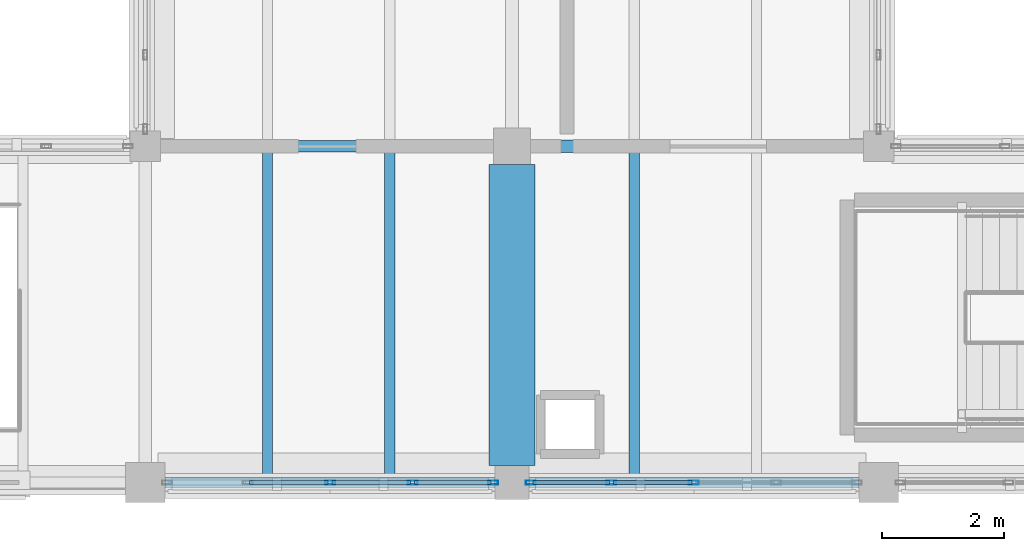
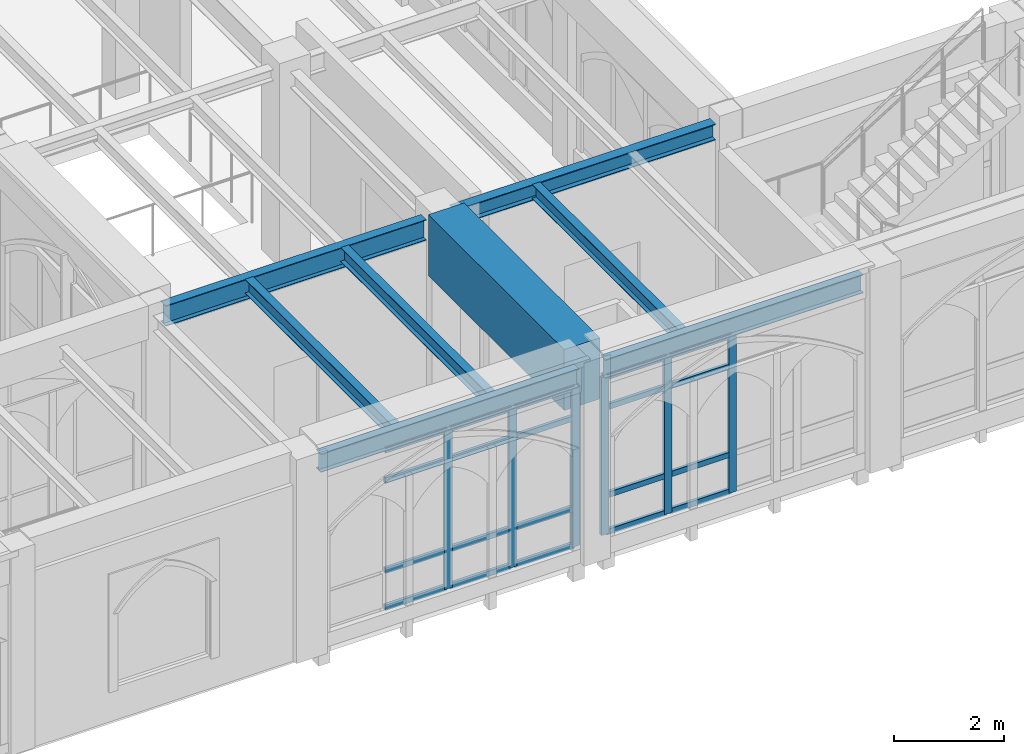
# One storey, part 18 of 127: 26 members, 8 beams, 2 elements without a shape of their own.
"""IFC4 building model written with IfcOpenShell, lengths in metres."""

from ifc_helpers import new_model, si_unit, direction, frame, origin, origin_2d, place, context, subcontext, project, spatial, rectangle, hollow_rectangle, i_section, extrude, material, layer, layer_set, material_profile, profile_set, type_object, element, aggregate, save


model = new_model("IFC4")

# Units and contexts
model_context = context("Model", 3, precision=1e-05, world=origin(), true_north=direction((0.0, 1.0)))
body_context = subcontext(model_context, "Body", "Model", "MODEL_VIEW")
ifc_project = project(units=[si_unit("LENGTHUNIT", "METRE"), si_unit("AREAUNIT", "SQUARE_METRE"), si_unit("VOLUMEUNIT", "CUBIC_METRE"), si_unit("PLANEANGLEUNIT", "RADIAN"), si_unit("MASSUNIT", "GRAM", prefix="KILO")], contexts=[model_context])

# Site, building, storey
site_placement = place(None, origin())
site = spatial("IfcSite", under=ifc_project, at=site_placement, CompositionType="ELEMENT")
building_placement = place(site_placement, origin())
building = spatial("IfcBuilding", under=site, at=building_placement, Name="Cumevento Cable Car Station", CompositionType="ELEMENT")
storey_placement = place(building_placement, frame((0.0, 0.0, 4.5)))
storey = spatial("IfcBuildingStorey", under=building, at=storey_placement, Name="L02", CompositionType="ELEMENT", Elevation=4.5)

# Curtain wall, members
ifc_material_1 = material(Name="Anodised Bronze Aluminium AW-6063-T6", Category="aluminium")
ifc_layer_1 = layer(ifc_material_1, 0.22607421875)
ifc_layer_set_1 = layer_set([ifc_layer_1], Name="Anodised Bronze Aluminium AW-6063-T6")
curtain_wall_type_1 = type_object("IfcCurtainWallType", Name="Lancet Curtain Wall CW-12 1490", PredefinedType="NOTDEFINED", material=ifc_layer_set_1)
curtain_wall_1_placement = place(storey_placement, origin())
curtain_wall_1 = element("IfcCurtainWall", 1, at=curtain_wall_1_placement, inside=storey, type_object=curtain_wall_type_1, Name="Lancet Curtain Wall CW-12 L02 #27", PredefinedType="NOTDEFINED")
ifc_material_2 = material(Name="Anodised Bronze Aluminium AW-6063-T6", Category="aluminium")
ifc_material_profile_1 = material_profile(ifc_material_2, hollow_rectangle(XDim=0.06494140625, YDim=0.159912109375, WallThickness=0.00390625, at=origin_2d()), Name="ALUM65x160x4")
ifc_profile_set_1 = profile_set([ifc_material_profile_1], Name="Anodised Bronze Aluminium AW-6063-T6")
member_type_1 = type_object("IfcMemberType", Name="Curtain Mullion CWM-01 ALUM65x160x4", PredefinedType="MULLION", material=ifc_profile_set_1)
member_1_placement = place(storey_placement, frame((63.6923828125, 4.0, 0.31005859375), z_axis=(0.0, 0.0, 1.0), x_axis=(0.0, -1.0, 0.0)))
member_1 = element("IfcMember", 2, at=member_1_placement, type_object=member_type_1, Name="CW-12 mullion 1", PredefinedType="MULLION", context=body_context, shape_type="SweptSolid", body=[
    extrude(hollow_rectangle(XDim=0.06494140625, YDim=0.159912109375, WallThickness=0.00390625, at=origin_2d()), origin(), (0.0, 0.0, 1.0), 3.546875),
])
member_2_placement = place(storey_placement, frame((62.375, 4.0, 0.31005859375), z_axis=(0.0, 0.0, 1.0), x_axis=(0.0, -1.0, 0.0)))
member_2 = element("IfcMember", 3, at=member_2_placement, type_object=member_type_1, Name="CW-12 mullion 2", PredefinedType="MULLION", context=body_context, shape_type="SweptSolid", body=[
    extrude(hollow_rectangle(XDim=0.06494140625, YDim=0.159912109375, WallThickness=0.00390625, at=origin_2d()), origin(), (0.0, 0.0, 1.0), 3.546875),
])
member_3_placement = place(storey_placement, frame((61.02490234375, 4.0, 0.31005859375), z_axis=(0.0, 0.0, 1.0), x_axis=(0.0, -1.0, 0.0)))
member_3 = element("IfcMember", 4, at=member_3_placement, type_object=member_type_1, Name="CW-12 mullion 3", PredefinedType="MULLION", context=body_context, shape_type="SweptSolid", body=[
    extrude(hollow_rectangle(XDim=0.06494140625, YDim=0.159912109375, WallThickness=0.00390625, at=origin_2d()), origin(), (0.0, 0.0, 1.0), 3.546875),
])

ifc_material_3 = material(Name="Anodised Bronze Aluminium AW-6063-T6", Category="aluminium")
ifc_layer_2 = layer(ifc_material_3, 0.23193359375)
ifc_layer_set_2 = layer_set([ifc_layer_2], Name="Anodised Bronze Aluminium AW-6063-T6")
curtain_wall_type_2 = type_object("IfcCurtainWallType", Name="Lancet Curtain Wall CW-13 1530", PredefinedType="NOTDEFINED", material=ifc_layer_set_2)
curtain_wall_2_placement = place(storey_placement, origin())
curtain_wall_2 = element("IfcCurtainWall", 5, at=curtain_wall_2_placement, inside=storey, type_object=curtain_wall_type_2, Name="Lancet Curtain Wall CW-13 L02 #28", PredefinedType="NOTDEFINED")
member_4_placement = place(storey_placement, frame((66.97509765625, 4.0, 0.360107421875), z_axis=(0.0, 0.0, 1.0), x_axis=(0.0, -1.0, 0.0)))
member_4 = element("IfcMember", 6, at=member_4_placement, type_object=member_type_1, Name="CW-13 mullion 3", PredefinedType="MULLION", context=body_context, shape_type="SweptSolid", body=[
    extrude(hollow_rectangle(XDim=0.06494140625, YDim=0.159912109375, WallThickness=0.00390625, at=origin_2d()), origin(), (0.0, 0.0, 1.0), 3.496826171875),
])
member_5_placement = place(storey_placement, frame((65.625, 4.0, 0.360107421875), z_axis=(0.0, 0.0, 1.0), x_axis=(0.0, -1.0, 0.0)))
member_5 = element("IfcMember", 7, at=member_5_placement, type_object=member_type_1, Name="CW-13 mullion 4", PredefinedType="MULLION", context=body_context, shape_type="SweptSolid", body=[
    extrude(hollow_rectangle(XDim=0.06494140625, YDim=0.159912109375, WallThickness=0.00390625, at=origin_2d()), origin(), (0.0, 0.0, 1.0), 3.496826171875),
])
member_6_placement = place(storey_placement, frame((64.3076171875, 4.0, 0.360107421875), z_axis=(0.0, 0.0, 1.0), x_axis=(0.0, -1.0, 0.0)))
member_6 = element("IfcMember", 8, at=member_6_placement, type_object=member_type_1, Name="CW-13 mullion 5", PredefinedType="MULLION", context=body_context, shape_type="SweptSolid", body=[
    extrude(hollow_rectangle(XDim=0.06494140625, YDim=0.159912109375, WallThickness=0.00390625, at=origin_2d()), origin(), (0.0, 0.0, 1.0), 3.496826171875),
])

# Member
ifc_material_4 = material(Name="Anodised Bronze Aluminium AW-6063-T6", Category="aluminium")
ifc_material_profile_2 = material_profile(ifc_material_4, hollow_rectangle(XDim=0.06494140625, YDim=0.1201171875, WallThickness=0.00390625, at=origin_2d()), Name="ALUT65x120x4")
ifc_profile_set_2 = profile_set([ifc_material_profile_2], Name="Anodised Bronze Aluminium AW-6063-T6")
member_type_2 = type_object("IfcMemberType", Name="Curtain Transom CWT-01 ALUT65x120x4", PredefinedType="USERDEFINED", material=ifc_profile_set_2)
member_7_placement = place(storey_placement, frame((63.659912109375, 4.0, 0.342529296875), z_axis=(-1.0, 0.0, 0.0), x_axis=(0.0, -1.0, 0.0)))
member_7 = element("IfcMember", 9, at=member_7_placement, type_object=member_type_2, Name="CW-12 transom 1.1", ObjectType="TRANSOM", PredefinedType="USERDEFINED", context=body_context, shape_type="SweptSolid", body=[
    extrude(hollow_rectangle(XDim=0.06494140625, YDim=0.1201171875, WallThickness=0.00390625, at=origin_2d()), origin(), (0.0, 0.0, 1.0), 1.25244140625),
])

member_8_placement = place(storey_placement, frame((63.659912109375, 4.0, 1.159912109375), z_axis=(-1.0, 0.0, 0.0), x_axis=(0.0, -1.0, 0.0)))
member_8 = element("IfcMember", 10, at=member_8_placement, type_object=member_type_2, Name="CW-12 transom 1.2", ObjectType="TRANSOM", PredefinedType="USERDEFINED", context=body_context, shape_type="SweptSolid", body=[
    extrude(hollow_rectangle(XDim=0.06494140625, YDim=0.1201171875, WallThickness=0.00390625, at=origin_2d()), origin(), (0.0, 0.0, 1.0), 1.25244140625),
])

member_9_placement = place(storey_placement, frame((63.659912109375, 4.0, 3.156982421875), z_axis=(-1.0, 0.0, 0.0), x_axis=(0.0, -1.0, 0.0)))
member_9 = element("IfcMember", 11, at=member_9_placement, type_object=member_type_2, Name="CW-12 transom 1.3", ObjectType="TRANSOM", PredefinedType="USERDEFINED", context=body_context, shape_type="SweptSolid", body=[
    extrude(hollow_rectangle(XDim=0.06494140625, YDim=0.1201171875, WallThickness=0.00390625, at=origin_2d()), origin(), (0.0, 0.0, 1.0), 1.25244140625),
])

member_10_placement = place(storey_placement, frame((63.659912109375, 4.0, 3.824462890625), z_axis=(-1.0, 0.0, 0.0), x_axis=(0.0, -1.0, 0.0)))
member_10 = element("IfcMember", 12, at=member_10_placement, type_object=member_type_2, Name="CW-12 transom 1.4", ObjectType="TRANSOM", PredefinedType="USERDEFINED", context=body_context, shape_type="SweptSolid", body=[
    extrude(hollow_rectangle(XDim=0.06494140625, YDim=0.1201171875, WallThickness=0.00390625, at=origin_2d()), origin(), (0.0, 0.0, 1.0), 1.25244140625),
])

member_11_placement = place(storey_placement, frame((62.342529296875, 4.0, 0.342529296875), z_axis=(-1.0, 0.0, 0.0), x_axis=(0.0, -1.0, 0.0)))
member_11 = element("IfcMember", 13, at=member_11_placement, type_object=member_type_2, Name="CW-12 transom 2.1", ObjectType="TRANSOM", PredefinedType="USERDEFINED", context=body_context, shape_type="SweptSolid", body=[
    extrude(hollow_rectangle(XDim=0.06494140625, YDim=0.1201171875, WallThickness=0.00390625, at=origin_2d()), origin(), (0.0, 0.0, 1.0), 1.284912109375),
])

member_12_placement = place(storey_placement, frame((62.342529296875, 4.0, 1.159912109375), z_axis=(-1.0, 0.0, 0.0), x_axis=(0.0, -1.0, 0.0)))
member_12 = element("IfcMember", 14, at=member_12_placement, type_object=member_type_2, Name="CW-12 transom 2.2", ObjectType="TRANSOM", PredefinedType="USERDEFINED", context=body_context, shape_type="SweptSolid", body=[
    extrude(hollow_rectangle(XDim=0.06494140625, YDim=0.1201171875, WallThickness=0.00390625, at=origin_2d()), origin(), (0.0, 0.0, 1.0), 1.284912109375),
])

member_13_placement = place(storey_placement, frame((62.342529296875, 4.0, 3.156982421875), z_axis=(-1.0, 0.0, 0.0), x_axis=(0.0, -1.0, 0.0)))
member_13 = element("IfcMember", 15, at=member_13_placement, type_object=member_type_2, Name="CW-12 transom 2.3", ObjectType="TRANSOM", PredefinedType="USERDEFINED", context=body_context, shape_type="SweptSolid", body=[
    extrude(hollow_rectangle(XDim=0.06494140625, YDim=0.1201171875, WallThickness=0.00390625, at=origin_2d()), origin(), (0.0, 0.0, 1.0), 1.284912109375),
])

member_14_placement = place(storey_placement, frame((62.342529296875, 4.0, 3.824462890625), z_axis=(-1.0, 0.0, 0.0), x_axis=(0.0, -1.0, 0.0)))
member_14 = element("IfcMember", 16, at=member_14_placement, type_object=member_type_2, Name="CW-12 transom 2.4", ObjectType="TRANSOM", PredefinedType="USERDEFINED", context=body_context, shape_type="SweptSolid", body=[
    extrude(hollow_rectangle(XDim=0.06494140625, YDim=0.1201171875, WallThickness=0.00390625, at=origin_2d()), origin(), (0.0, 0.0, 1.0), 1.284912109375),
])

member_15_placement = place(storey_placement, frame((60.992431640625, 4.0, 0.342529296875), z_axis=(-1.0, 0.0, 0.0), x_axis=(0.0, -1.0, 0.0)))
member_15 = element("IfcMember", 17, at=member_15_placement, type_object=member_type_2, Name="CW-12 transom 3.1", ObjectType="TRANSOM", PredefinedType="USERDEFINED", context=body_context, shape_type="SweptSolid", body=[
    extrude(hollow_rectangle(XDim=0.06494140625, YDim=0.1201171875, WallThickness=0.00390625, at=origin_2d()), origin(), (0.0, 0.0, 1.0), 1.284912109375),
])

member_16_placement = place(storey_placement, frame((60.992431640625, 4.0, 1.159912109375), z_axis=(-1.0, 0.0, 0.0), x_axis=(0.0, -1.0, 0.0)))
member_16 = element("IfcMember", 18, at=member_16_placement, type_object=member_type_2, Name="CW-12 transom 3.2", ObjectType="TRANSOM", PredefinedType="USERDEFINED", context=body_context, shape_type="SweptSolid", body=[
    extrude(hollow_rectangle(XDim=0.06494140625, YDim=0.1201171875, WallThickness=0.00390625, at=origin_2d()), origin(), (0.0, 0.0, 1.0), 1.284912109375),
])

member_17_placement = place(storey_placement, frame((60.992431640625, 4.0, 3.156982421875), z_axis=(-1.0, 0.0, 0.0), x_axis=(0.0, -1.0, 0.0)))
member_17 = element("IfcMember", 19, at=member_17_placement, type_object=member_type_2, Name="CW-12 transom 3.3", ObjectType="TRANSOM", PredefinedType="USERDEFINED", context=body_context, shape_type="SweptSolid", body=[
    extrude(hollow_rectangle(XDim=0.06494140625, YDim=0.1201171875, WallThickness=0.00390625, at=origin_2d()), origin(), (0.0, 0.0, 1.0), 1.284912109375),
])

member_18_placement = place(storey_placement, frame((60.992431640625, 4.0, 3.824462890625), z_axis=(-1.0, 0.0, 0.0), x_axis=(0.0, -1.0, 0.0)))
member_18 = element("IfcMember", 20, at=member_18_placement, type_object=member_type_2, Name="CW-12 transom 3.4", ObjectType="TRANSOM", PredefinedType="USERDEFINED", context=body_context, shape_type="SweptSolid", body=[
    extrude(hollow_rectangle(XDim=0.06494140625, YDim=0.1201171875, WallThickness=0.00390625, at=origin_2d()), origin(), (0.0, 0.0, 1.0), 1.284912109375),
])

aggregate(curtain_wall_1, [member_1, member_2, member_3, member_7, member_8, member_9, member_10, member_11, member_12, member_13, member_14, member_15, member_16, member_17, member_18])

member_19_placement = place(storey_placement, frame((66.9423828125, 4.0, 0.392578125), z_axis=(-1.0, 0.0, 0.0), x_axis=(0.0, -1.0, 0.0)))
member_19 = element("IfcMember", 21, at=member_19_placement, type_object=member_type_2, Name="CW-13 transom 3.1", ObjectType="TRANSOM", PredefinedType="USERDEFINED", context=body_context, shape_type="SweptSolid", body=[
    extrude(hollow_rectangle(XDim=0.06494140625, YDim=0.1201171875, WallThickness=0.00390625, at=origin_2d()), origin(), (0.0, 0.0, 1.0), 1.284912109375),
])

member_20_placement = place(storey_placement, frame((66.9423828125, 4.0, 1.2099609375), z_axis=(-1.0, 0.0, 0.0), x_axis=(0.0, -1.0, 0.0)))
member_20 = element("IfcMember", 22, at=member_20_placement, type_object=member_type_2, Name="CW-13 transom 3.2", ObjectType="TRANSOM", PredefinedType="USERDEFINED", context=body_context, shape_type="SweptSolid", body=[
    extrude(hollow_rectangle(XDim=0.06494140625, YDim=0.1201171875, WallThickness=0.00390625, at=origin_2d()), origin(), (0.0, 0.0, 1.0), 1.284912109375),
])

member_21_placement = place(storey_placement, frame((66.9423828125, 4.0, 3.156982421875), z_axis=(-1.0, 0.0, 0.0), x_axis=(0.0, -1.0, 0.0)))
member_21 = element("IfcMember", 23, at=member_21_placement, type_object=member_type_2, Name="CW-13 transom 3.3", ObjectType="TRANSOM", PredefinedType="USERDEFINED", context=body_context, shape_type="SweptSolid", body=[
    extrude(hollow_rectangle(XDim=0.06494140625, YDim=0.1201171875, WallThickness=0.00390625, at=origin_2d()), origin(), (0.0, 0.0, 1.0), 1.284912109375),
])

member_22_placement = place(storey_placement, frame((66.9423828125, 4.0, 3.824462890625), z_axis=(-1.0, 0.0, 0.0), x_axis=(0.0, -1.0, 0.0)))
member_22 = element("IfcMember", 24, at=member_22_placement, type_object=member_type_2, Name="CW-13 transom 3.4", ObjectType="TRANSOM", PredefinedType="USERDEFINED", context=body_context, shape_type="SweptSolid", body=[
    extrude(hollow_rectangle(XDim=0.06494140625, YDim=0.1201171875, WallThickness=0.00390625, at=origin_2d()), origin(), (0.0, 0.0, 1.0), 1.284912109375),
])

member_23_placement = place(storey_placement, frame((65.592529296875, 4.0, 0.392578125), z_axis=(-1.0, 0.0, 0.0), x_axis=(0.0, -1.0, 0.0)))
member_23 = element("IfcMember", 25, at=member_23_placement, type_object=member_type_2, Name="CW-13 transom 4.1", ObjectType="TRANSOM", PredefinedType="USERDEFINED", context=body_context, shape_type="SweptSolid", body=[
    extrude(hollow_rectangle(XDim=0.06494140625, YDim=0.1201171875, WallThickness=0.00390625, at=origin_2d()), origin(), (0.0, 0.0, 1.0), 1.25244140625),
])

member_24_placement = place(storey_placement, frame((65.592529296875, 4.0, 1.2099609375), z_axis=(-1.0, 0.0, 0.0), x_axis=(0.0, -1.0, 0.0)))
member_24 = element("IfcMember", 26, at=member_24_placement, type_object=member_type_2, Name="CW-13 transom 4.2", ObjectType="TRANSOM", PredefinedType="USERDEFINED", context=body_context, shape_type="SweptSolid", body=[
    extrude(hollow_rectangle(XDim=0.06494140625, YDim=0.1201171875, WallThickness=0.00390625, at=origin_2d()), origin(), (0.0, 0.0, 1.0), 1.25244140625),
])

member_25_placement = place(storey_placement, frame((65.592529296875, 4.0, 3.156982421875), z_axis=(-1.0, 0.0, 0.0), x_axis=(0.0, -1.0, 0.0)))
member_25 = element("IfcMember", 27, at=member_25_placement, type_object=member_type_2, Name="CW-13 transom 4.3", ObjectType="TRANSOM", PredefinedType="USERDEFINED", context=body_context, shape_type="SweptSolid", body=[
    extrude(hollow_rectangle(XDim=0.06494140625, YDim=0.1201171875, WallThickness=0.00390625, at=origin_2d()), origin(), (0.0, 0.0, 1.0), 1.25244140625),
])

member_26_placement = place(storey_placement, frame((65.592529296875, 4.0, 3.824462890625), z_axis=(-1.0, 0.0, 0.0), x_axis=(0.0, -1.0, 0.0)))
member_26 = element("IfcMember", 28, at=member_26_placement, type_object=member_type_2, Name="CW-13 transom 4.4", ObjectType="TRANSOM", PredefinedType="USERDEFINED", context=body_context, shape_type="SweptSolid", body=[
    extrude(hollow_rectangle(XDim=0.06494140625, YDim=0.1201171875, WallThickness=0.00390625, at=origin_2d()), origin(), (0.0, 0.0, 1.0), 1.25244140625),
])

aggregate(curtain_wall_2, [member_4, member_5, member_6, member_19, member_20, member_21, member_22, member_23, member_24, member_25, member_26])

# Beams
ifc_material_5 = material(Name="Steel ASTM A572 Grade 50", Category="steel")
ifc_material_profile_3 = material_profile(ifc_material_5, i_section(OverallWidth=0.18994140625, OverallDepth=0.45703125, WebThickness=0.009033203125, FlangeThickness=0.014404296875, at=origin_2d()), Name="W460x74.0")
ifc_profile_set_3 = profile_set([ifc_material_profile_3], Name="Steel ASTM A572 Grade 50")
beam_type_1 = type_object("IfcBeamType", Name="Structural Beam BM-04 W460x74.0", PredefinedType="BEAM", material=ifc_profile_set_3)
beam_1_placement = place(storey_placement, frame((58.25, 9.5, 4.011474609375), z_axis=(1.0, 0.0, 0.0), x_axis=(0.0, 1.0, 0.0)))
element("IfcBeam", 29, at=beam_1_placement, inside=storey, type_object=beam_type_1, Name="Beam BM-04 L02 #457", PredefinedType="BEAM", context=body_context, shape_type="SweptSolid", body=[
    extrude(i_section(OverallWidth=0.18994140625, OverallDepth=0.45703125, WebThickness=0.009033203125, FlangeThickness=0.014404296875, at=origin_2d()), origin(), (0.0, 0.0, 1.0), 5.449951171875),
])
ifc_material_6 = material(Name="Steel ASTM A572 Grade 50", Category="steel")
ifc_material_profile_4 = material_profile(ifc_material_6, i_section(OverallWidth=0.205078125, OverallDepth=0.35400390625, WebThickness=0.009521484375, FlangeThickness=0.016845703125, at=origin_2d()), Name="W360x79.0")
ifc_profile_set_4 = profile_set([ifc_material_profile_4], Name="Steel ASTM A572 Grade 50")
beam_type_2 = type_object("IfcBeamType", Name="Structural Beam BM-05 W360x79.0", PredefinedType="BEAM", material=ifc_profile_set_4)
beam_2_placement = place(storey_placement, frame((64.300048828125, 9.5, 4.06298828125), z_axis=(1.0, 0.0, 0.0), x_axis=(0.0, 1.0, 0.0)))
element("IfcBeam", 30, at=beam_2_placement, inside=storey, type_object=beam_type_2, Name="Beam BM-05 L02 #458", PredefinedType="BEAM", context=body_context, shape_type="SweptSolid", body=[
    extrude(i_section(OverallWidth=0.205078125, OverallDepth=0.35400390625, WebThickness=0.009521484375, FlangeThickness=0.016845703125, at=origin_2d()), origin(), (0.0, 0.0, 1.0), 5.449951171875),
])
ifc_material_7 = material(Name="Concrete C50/60", Category="concrete")
ifc_material_profile_5 = material_profile(ifc_material_7, rectangle(XDim=0.75, YDim=1.35009765625, at=origin_2d()), Name="RC750x1350")
ifc_profile_set_5 = profile_set([ifc_material_profile_5], Name="Concrete C50/60")
beam_type_3 = type_object("IfcBeamType", Name="Structural Beam TG-02 RC750x1350", PredefinedType="BEAM", material=ifc_profile_set_5)
beam_3_placement = place(storey_placement, frame((64.0, 4.27490234375, 3.824951171875), z_axis=(0.0, 1.0, 0.0), x_axis=(-1.0, 0.0, 0.0)))
element("IfcBeam", 31, at=beam_3_placement, inside=storey, type_object=beam_type_3, Name="Gallery Transfer Girder TG-02 (C50/60 750x1350)", PredefinedType="BEAM", context=body_context, shape_type="SweptSolid", body=[
    extrude(rectangle(XDim=0.75, YDim=1.35009765625, at=origin_2d()), origin(), (0.0, 0.0, 1.0), 4.925048828125),
])
ifc_material_8 = material(Name="Steel ASTM A572 Grade 50", Category="steel")
ifc_material_profile_6 = material_profile(ifc_material_8, i_section(OverallWidth=0.1669921875, OverallDepth=0.31689453125, WebThickness=0.007568359375, FlangeThickness=0.01318359375, at=origin_2d()), Name="W310x52.0")
ifc_profile_set_6 = profile_set([ifc_material_profile_6], Name="Steel ASTM A572 Grade 50")
beam_type_4 = type_object("IfcBeamType", Name="Structural Joist JS-02 W310x52.0", PredefinedType="JOIST", material=ifc_profile_set_6)
for number, where, z_axis, x_axis, name in (
    (32, (60.0, 4.076904296875, 4.08154296875), (0.0, 1.0, 0.0), (-1.0, 0.0, 0.0), "Composite Floor Joist JS-02 L02 #738"),
    (33, (62.0, 4.076904296875, 4.08154296875), (0.0, 1.0, 0.0), (-1.0, 0.0, 0.0), "Composite Floor Joist JS-02 L02 #739"),
):
    element("IfcBeam", number, at=place(storey_placement, frame(where, z_axis=z_axis, x_axis=x_axis)), inside=storey, type_object=beam_type_4, Name=name, PredefinedType="JOIST", context=body_context, shape_type="SweptSolid", body=[
        extrude(i_section(OverallWidth=0.1669921875, OverallDepth=0.31689453125, WebThickness=0.007568359375, FlangeThickness=0.01318359375, at=origin_2d()), origin(), (0.0, 0.0, 1.0), 5.340087890625),
    ])
beam_4_placement = place(storey_placement, frame((66.0, 4.076904296875, 4.08154296875), z_axis=(0.0, 1.0, 0.0), x_axis=(-1.0, 0.0, 0.0)))
element("IfcBeam", 34, at=beam_4_placement, inside=storey, type_object=beam_type_4, Name="Composite Floor Joist JS-02 L02 #740", PredefinedType="JOIST", context=body_context, shape_type="SweptSolid", body=[
    extrude(i_section(OverallWidth=0.1669921875, OverallDepth=0.31689453125, WebThickness=0.007568359375, FlangeThickness=0.01318359375, at=origin_2d()), origin(), (0.0, 0.0, 1.0), 5.33251953125),
])
ifc_material_9 = material(Name="Steel ASTM A572 Grade 50", Category="steel")
ifc_material_profile_7 = material_profile(ifc_material_9, i_section(OverallWidth=0.177978515625, OverallDepth=0.406982421875, WebThickness=0.0078125, FlangeThickness=0.0126953125, at=origin_2d()), Name="W410x60.0")
ifc_profile_set_7 = profile_set([ifc_material_profile_7], Name="Steel ASTM A572 Grade 50")
beam_type_5 = type_object("IfcBeamType", Name="Structural Spandrel SP-01 W410x60.0", PredefinedType="SPANDREL", material=ifc_profile_set_7)
for number, where, z_axis, x_axis, name in (
    (35, (58.324951171875, 4.0, 4.060546875), (1.0, 0.0, 0.0), (0.0, 1.0, 0.0), "Beam SP-01 L02 #451"),
    (36, (64.27490234375, 4.0, 4.060546875), (1.0, 0.0, 0.0), (0.0, 1.0, 0.0), "Beam SP-01 L02 #452"),
):
    element("IfcBeam", number, at=place(storey_placement, frame(where, z_axis=z_axis, x_axis=x_axis)), inside=storey, type_object=beam_type_5, Name=name, PredefinedType="SPANDREL", context=body_context, shape_type="SweptSolid", body=[
        extrude(i_section(OverallWidth=0.177978515625, OverallDepth=0.406982421875, WebThickness=0.0078125, FlangeThickness=0.0126953125, at=origin_2d()), origin(), (0.0, 0.0, 1.0), 5.400146484375),
    ])

save(model, "model.ifc")
